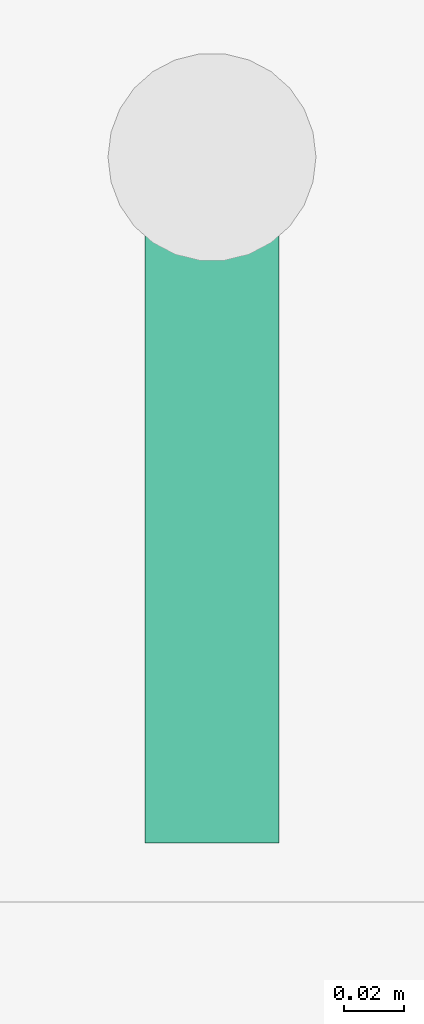
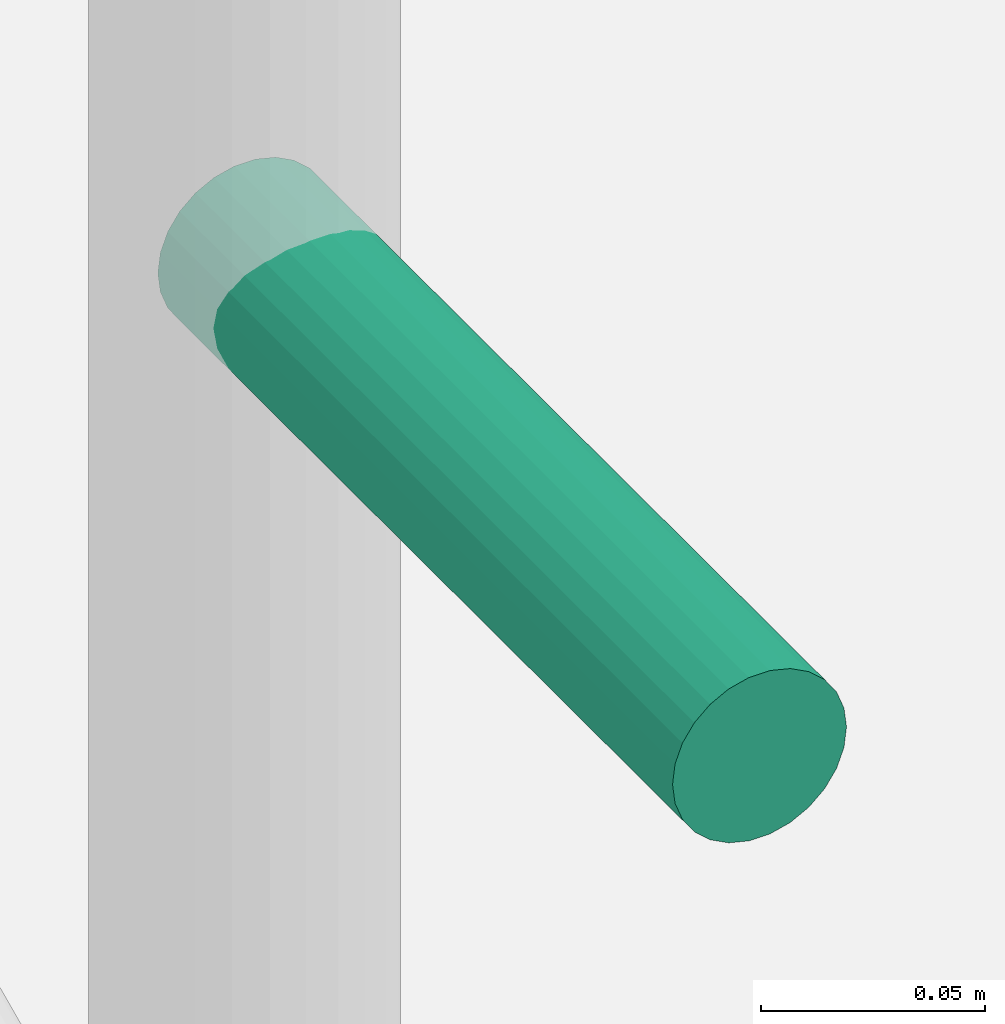
# One storey, part 31 of 33: 1 pipe fitting.
"""IFC4 building model written with IfcOpenShell, lengths in metres."""

from ifc_helpers import new_model, si_unit, direction, frame, origin, origin_2d, place, context, subcontext, project, spatial, circle, extrude, element, save


model = new_model("IFC4")

# Units and contexts
model_context = context("Model", 3, precision=1e-05, world=origin(), true_north=direction((0.0, 1.0)))
body_context = subcontext(model_context, "Body", "Model", "MODEL_VIEW")
ifc_project = project(units=[si_unit("LENGTHUNIT", "METRE"), si_unit("AREAUNIT", "SQUARE_METRE"), si_unit("VOLUMEUNIT", "CUBIC_METRE"), si_unit("PLANEANGLEUNIT", "RADIAN"), si_unit("MASSUNIT", "GRAM", prefix="KILO")], contexts=[model_context])

# Site, building, storey
site_placement = place(None, origin())
site = spatial("IfcSite", under=ifc_project, at=site_placement, CompositionType="ELEMENT")
building_placement = place(site_placement, origin())
building = spatial("IfcBuilding", under=site, at=building_placement, Name="Nzadi Deep Aquarium and Research Tower", CompositionType="ELEMENT")
storey_placement = place(building_placement, frame((0.0, 0.0, -5.5)))
storey = spatial("IfcBuildingStorey", under=building, at=storey_placement, Name="B1", CompositionType="ELEMENT", Elevation=-5.5)

# Pipe fitting
pipe_fitting_placement = place(storey_placement, frame((2.300048828125, 116.360107421875, 1.10009765625), z_axis=(0.0, -1.0, 0.0), x_axis=(1.0, 0.0, 0.0)))
element("IfcPipeFitting", 1, at=pipe_fitting_placement, inside=storey, Name="Dry riser outlet ST-Z3-W B1", PredefinedType="EXIT", context=body_context, shape_type="SweptSolid", body=[
    extrude(circle(Radius=0.0224609375, at=origin_2d()), origin(), (0.0, 0.0, 1.0), 0.230224609375),
])

save(model, "model.ifc")
